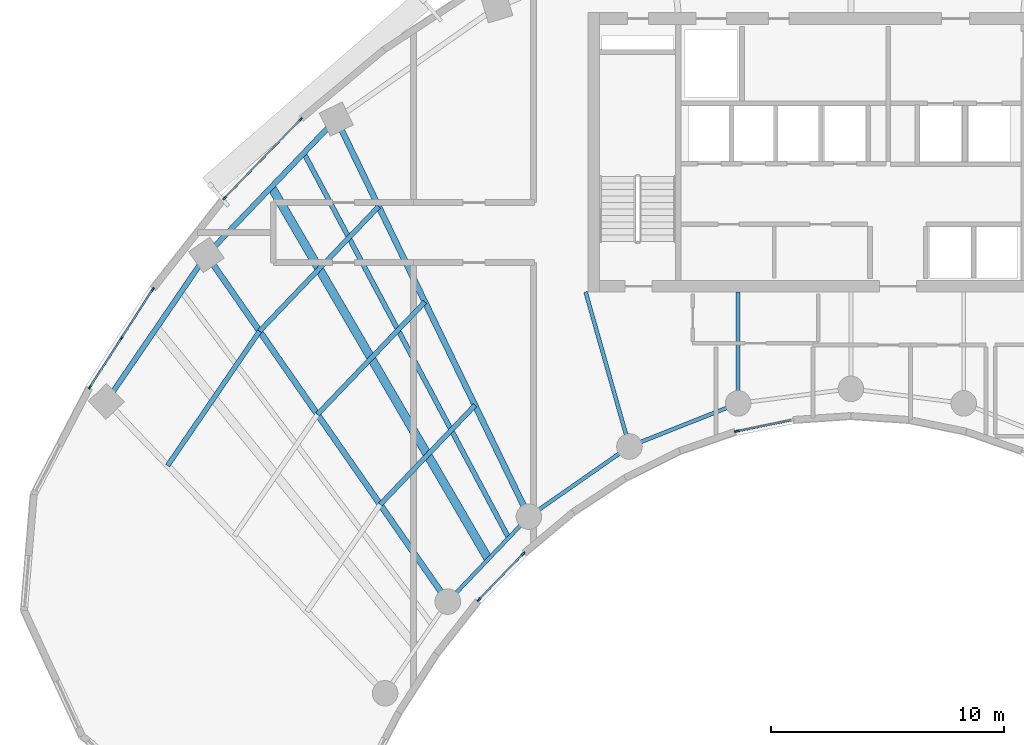
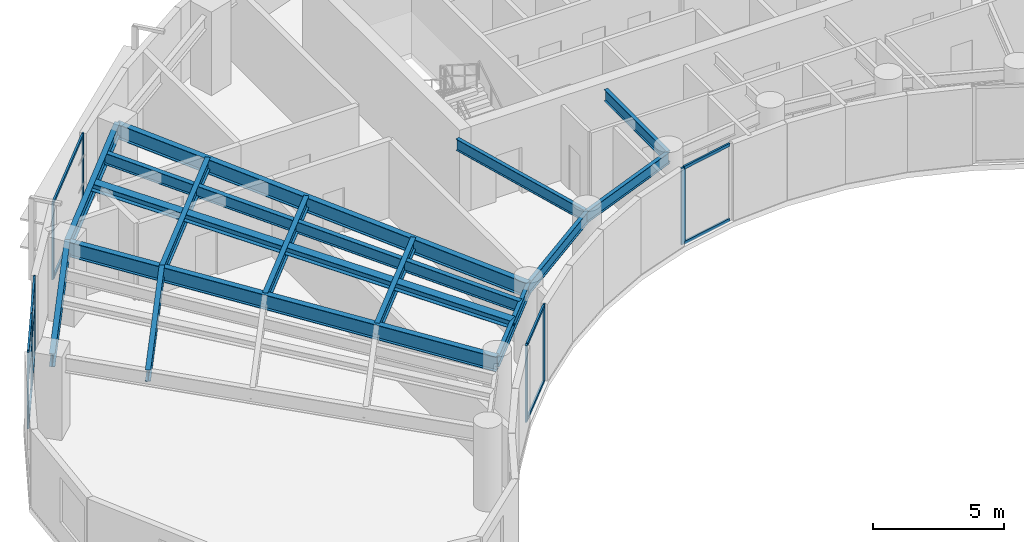
# One storey, part 2 of 13: 20 members, 15 beams, 4 elements without a shape of their own.
"""IFC4 building model written with IfcOpenShell, lengths in metres."""

from ifc_helpers import new_model, si_unit, direction, frame, origin, origin_2d, place, context, subcontext, project, spatial, rectangle, i_section, extrude, source, transform, mapped, material, layer, layer_set, material_profile, profile_set, type_object, type_shapes, element, aggregate, save


model = new_model("IFC4")

# Units and contexts
model_context = context("Model", 3, precision=1e-05, world=origin(), true_north=direction((0.0, 1.0)))
body_context = subcontext(model_context, "Body", "Model", "MODEL_VIEW")
ifc_project = project(units=[si_unit("LENGTHUNIT", "METRE"), si_unit("AREAUNIT", "SQUARE_METRE"), si_unit("VOLUMEUNIT", "CUBIC_METRE"), si_unit("PLANEANGLEUNIT", "RADIAN"), si_unit("MASSUNIT", "GRAM", prefix="KILO")], contexts=[model_context])

# Site, building, storey
site_placement = place(None, origin())
site = spatial("IfcSite", under=ifc_project, at=site_placement, CompositionType="ELEMENT")
building_placement = place(site_placement, origin())
building = spatial("IfcBuilding", under=site, at=building_placement, Name="Breltana Convention Tower", CompositionType="ELEMENT")
storey_placement = place(building_placement, frame((0.0, 0.0, 185.699951171875)))
storey = spatial("IfcBuildingStorey", under=building, at=storey_placement, Name="L45", CompositionType="ELEMENT", Elevation=185.699951171875)

# Beams
ifc_material_1 = material(Name="Steel ASTM A992 Grade 50", Category="steel")
ifc_material_profile_1 = material_profile(ifc_material_1, i_section(OverallWidth=0.2099609375, OverallDepth=0.537109375, WebThickness=0.010986328125, FlangeThickness=0.017333984375, at=origin_2d()), Name="W21X68")
ifc_profile_set_1 = profile_set([ifc_material_profile_1], Name="Steel ASTM A992 Grade 50")
beam_type_1 = type_object("IfcBeamType", Name="BM-JSG-04", PredefinedType="JOIST", material=ifc_profile_set_1)
shared_shape_1 = source(origin(), body_context, "Body", "SweptSolid", [
    extrude(i_section(OverallWidth=0.2099609375, OverallDepth=0.537109375, WebThickness=0.010986328125, FlangeThickness=0.017333984375, at=origin_2d()), origin(), (0.0, 0.0, 1.0), 6.997314453125),
])
beam_1_placement = place(storey_placement, frame((18.641845703125, 52.735595703125, 3.3115234375), z_axis=(0.564468756361, 0.825454434292, 0.0), x_axis=(-0.825454434292, 0.564468756361, 0.0)))
element("IfcBeam", 1, at=beam_1_placement, inside=storey, type_object=beam_type_1, Name="L45 Composite Floor Joist 01.3", PredefinedType="JOIST", context=body_context, shape_type="MappedRepresentation", body=[
    mapped(shared_shape_1, transform((0.0, 0.0, 0.0), scale=1.0)),
])
shared_shape_2 = source(origin(), body_context, "Body", "SweptSolid", [
    extrude(i_section(OverallWidth=0.2099609375, OverallDepth=0.537109375, WebThickness=0.010986328125, FlangeThickness=0.017333984375, at=origin_2d()), origin(), (0.0, 0.0, 1.0), 5.8974609375),
])
beam_2_placement = place(storey_placement, frame((27.774658203125, 51.063232421875, 3.3115234375), z_axis=(0.690713978666, 0.723128065888, 0.0), x_axis=(-0.723128065888, 0.690713978666, 0.0)))
element("IfcBeam", 2, at=beam_2_placement, inside=storey, type_object=beam_type_1, Name="L45 Composite Floor Joist 02.1", PredefinedType="JOIST", context=body_context, shape_type="MappedRepresentation", body=[
    mapped(shared_shape_2, transform((0.0, 0.0, 0.0), scale=1.0)),
])
shared_shape_3 = source(origin(), body_context, "Body", "SweptSolid", [
    extrude(i_section(OverallWidth=0.2099609375, OverallDepth=0.537109375, WebThickness=0.010986328125, FlangeThickness=0.017333984375, at=origin_2d()), origin(), (0.0, 0.0, 1.0), 6.68359375),
])
beam_3_placement = place(storey_placement, frame((25.079345703125, 54.936279296875, 3.3115234375), z_axis=(0.690720705885, 0.723121640156, 0.0), x_axis=(-0.723121640156, 0.690720705885, 0.0)))
element("IfcBeam", 3, at=beam_3_placement, inside=storey, type_object=beam_type_1, Name="L45 Composite Floor Joist 02.2", PredefinedType="JOIST", context=body_context, shape_type="MappedRepresentation", body=[
    mapped(shared_shape_3, transform((0.0, 0.0, 0.0), scale=1.0)),
])
shared_shape_4 = source(origin(), body_context, "Body", "SweptSolid", [
    extrude(i_section(OverallWidth=0.2099609375, OverallDepth=0.537109375, WebThickness=0.010986328125, FlangeThickness=0.017333984375, at=origin_2d()), origin(), (0.0, 0.0, 1.0), 7.40869140625),
])
beam_4_placement = place(storey_placement, frame((22.591552734375, 58.511474609375, 3.3115234375), z_axis=(0.690724936208, 0.723117599358, 0.0), x_axis=(-0.723117599358, 0.690724936208, 0.0)))
element("IfcBeam", 4, at=beam_4_placement, inside=storey, type_object=beam_type_1, Name="L45 Composite Floor Joist 02.3", PredefinedType="JOIST", context=body_context, shape_type="MappedRepresentation", body=[
    mapped(shared_shape_4, transform((0.0, 0.0, 0.0), scale=1.0)),
])
ifc_material_profile_2 = material_profile(ifc_material_1, i_section(OverallWidth=0.368896484375, OverallDepth=0.35595703125, WebThickness=0.01123046875, FlangeThickness=0.01806640625, at=origin_2d()), Name="W14X90")
ifc_profile_set_2 = profile_set([ifc_material_profile_2], Name="Steel ASTM A992 Grade 50")
beam_type_2 = type_object("IfcBeamType", Name="BM-JSG-09", PredefinedType="JOIST", material=ifc_profile_set_2)
shared_shape_5 = source(origin(), body_context, "Body", "SweptSolid", [
    extrude(i_section(OverallWidth=0.368896484375, OverallDepth=0.35595703125, WebThickness=0.01123046875, FlangeThickness=0.01806640625, at=origin_2d()), origin(), (0.0, 0.0, 1.0), 18.50830078125),
])
beam_5_placement = place(storey_placement, frame((32.421630859375, 48.71875, 3.402099609375), z_axis=(-0.50368319637, 0.863888440537, 0.0), x_axis=(-0.863888440537, -0.50368319637, 0.0)))
element("IfcBeam", 5, at=beam_5_placement, inside=storey, type_object=beam_type_2, Name="L45 Mid-Bay Radial Trimmer 02", PredefinedType="JOIST", context=body_context, shape_type="MappedRepresentation", body=[
    mapped(shared_shape_5, transform((0.0, 0.0, 0.0), scale=1.0)),
])
shared_shape_6 = source(origin(), body_context, "Body", "SweptSolid", [
    extrude(i_section(OverallWidth=0.2099609375, OverallDepth=0.537109375, WebThickness=0.010986328125, FlangeThickness=0.017333984375, at=origin_2d()), origin(), (0.0, 0.0, 1.0), 18.731689453125),
])
beam_6_placement = place(storey_placement, frame((33.2939453125, 49.6318359375, 3.3115234375), z_axis=(-0.469820250451, 0.882762104004, 0.0), x_axis=(-0.882762104004, -0.469820250451, 0.0)))
element("IfcBeam", 6, at=beam_6_placement, inside=storey, type_object=beam_type_1, Name="L45 Quarter-Bay Radial Trimmer 02", PredefinedType="JOIST", context=body_context, shape_type="MappedRepresentation", body=[
    mapped(shared_shape_6, transform((0.0, 0.0, 0.0), scale=1.0)),
])
ifc_material_profile_3 = material_profile(ifc_material_1, i_section(OverallWidth=0.25390625, OverallDepth=0.68798828125, WebThickness=0.01318359375, FlangeThickness=0.02099609375, at=origin_2d()), Name="W27X102")
ifc_profile_set_3 = profile_set([ifc_material_profile_3], Name="Steel ASTM A992 Grade 50")
beam_type_3 = type_object("IfcBeamType", Name="BM-RG-W27X102", PredefinedType="USERDEFINED", material=ifc_profile_set_3)
shared_shape_7 = source(origin(), body_context, "Body", "SweptSolid", [
    extrude(i_section(OverallWidth=0.25390625, OverallDepth=0.68798828125, WebThickness=0.01318359375, FlangeThickness=0.02099609375, at=origin_2d()), origin(), (0.0, 0.0, 1.0), 18.1484375),
])
beam_7_placement = place(storey_placement, frame((30.67724609375, 46.892333984375, 3.236083984375), z_axis=(-0.571207556098, 0.820805657788, 0.0), x_axis=(-0.820805657788, -0.571207556098, 0.0)))
element("IfcBeam", 7, at=beam_7_placement, inside=storey, type_object=beam_type_3, Name="L45 Radial Floor Girder R02", ObjectType="GIRDER", PredefinedType="USERDEFINED", context=body_context, shape_type="MappedRepresentation", body=[
    mapped(shared_shape_7, transform((0.0, 0.0, 0.0), scale=1.0)),
])
shared_shape_8 = source(origin(), body_context, "Body", "SweptSolid", [
    extrude(i_section(OverallWidth=0.25390625, OverallDepth=0.68798828125, WebThickness=0.01318359375, FlangeThickness=0.02099609375, at=origin_2d()), origin(), (0.0, 0.0, 1.0), 18.982421875),
])
beam_8_placement = place(storey_placement, frame((34.166259765625, 50.544921875, 3.236083984375), z_axis=(-0.436118560343, 0.89988921614, 0.0), x_axis=(-0.89988921614, -0.436118560343, 0.0)))
element("IfcBeam", 8, at=beam_8_placement, inside=storey, type_object=beam_type_3, Name="L45 Radial Floor Girder R03", ObjectType="GIRDER", PredefinedType="USERDEFINED", context=body_context, shape_type="MappedRepresentation", body=[
    mapped(shared_shape_8, transform((0.0, 0.0, 0.0), scale=1.0)),
])
ifc_material_profile_4 = material_profile(ifc_material_1, i_section(OverallWidth=0.166015625, OverallDepth=0.534912109375, WebThickness=0.01025390625, FlangeThickness=0.0166015625, at=origin_2d()), Name="W21X57")
ifc_profile_set_4 = profile_set([ifc_material_profile_4], Name="Steel ASTM A992 Grade 50")
beam_type_4 = type_object("IfcBeamType", Name="BM-BM-W21X57", PredefinedType="BEAM", material=ifc_profile_set_4)
shared_shape_9 = source(origin(), body_context, "Body", "SweptSolid", [
    extrude(i_section(OverallWidth=0.166015625, OverallDepth=0.534912109375, WebThickness=0.01025390625, FlangeThickness=0.0166015625, at=origin_2d()), origin(), (0.0, 0.0, 1.0), 6.904541015625),
])
type_shapes(beam_type_4, [shared_shape_9])
beam_9_placement = place(storey_placement, frame((36.60009765625, 60.199951171875, 3.3125), z_axis=(0.273006781054, -0.962012108811, 0.0), x_axis=(0.962012108811, 0.273006781054, 0.0)))
element("IfcBeam", 9, at=beam_9_placement, inside=storey, type_object=beam_type_4, Name="L45 South Core Tie Girder R04", PredefinedType="BEAM", context=body_context, shape_type="MappedRepresentation", body=[
    mapped(shared_shape_9, transform((0.0, 0.0, 0.0), scale=1.0)),
])
shared_shape_10 = source(origin(), body_context, "Body", "SweptSolid", [
    extrude(i_section(OverallWidth=0.166015625, OverallDepth=0.534912109375, WebThickness=0.01025390625, FlangeThickness=0.0166015625, at=origin_2d()), origin(), (0.0, 0.0, 1.0), 4.789306640625),
])
beam_10_placement = place(storey_placement, frame((43.153564453125, 60.199951171875, 3.3125), z_axis=(0.0, -1.0, 0.0), x_axis=(1.0, 0.0, 0.0)))
element("IfcBeam", 10, at=beam_10_placement, inside=storey, type_object=beam_type_4, Name="L45 South Core Tie Girder R05", PredefinedType="BEAM", context=body_context, shape_type="MappedRepresentation", body=[
    mapped(shared_shape_10, transform((0.0, 0.0, 0.0), scale=1.0)),
])
ifc_material_profile_5 = material_profile(ifc_material_1, i_section(OverallWidth=0.22802734375, OverallDepth=0.60791015625, WebThickness=0.01123046875, FlangeThickness=0.017333984375, at=origin_2d()), Name="W24X76")
ifc_profile_set_5 = profile_set([ifc_material_profile_5], Name="Steel ASTM A992 Grade 50")
beam_type_5 = type_object("IfcBeamType", Name="BM-SP-W24X76", PredefinedType="SPANDREL", material=ifc_profile_set_5)
shared_shape_11 = source(origin(), body_context, "Body", "SweptSolid", [
    extrude(i_section(OverallWidth=0.22802734375, OverallDepth=0.60791015625, WebThickness=0.01123046875, FlangeThickness=0.017333984375, at=origin_2d()), origin(), (0.0, 0.0, 1.0), 7.625),
])
type_shapes(beam_type_5, [shared_shape_11])
beam_11_placement = place(storey_placement, frame((16.0068359375, 55.494384765625, 3.276123046875), z_axis=(0.564452031902, 0.825465870694, 0.0), x_axis=(-0.825465870694, 0.564452031902, 0.0)))
element("IfcBeam", 11, at=beam_11_placement, inside=storey, type_object=beam_type_5, Name="L45 Outer Spandrel Beam 01", PredefinedType="SPANDREL", context=body_context, shape_type="MappedRepresentation", body=[
    mapped(shared_shape_11, transform((0.0, 0.0, 0.0), scale=1.0)),
])
shared_shape_12 = source(origin(), body_context, "Body", "SweptSolid", [
    extrude(i_section(OverallWidth=0.166015625, OverallDepth=0.534912109375, WebThickness=0.01025390625, FlangeThickness=0.0166015625, at=origin_2d()), origin(), (0.0, 0.0, 1.0), 5.05126953125),
])
beam_12_placement = place(storey_placement, frame((30.67724609375, 46.892333984375, 3.3125), z_axis=(0.690729753845, 0.7231129975, 0.0), x_axis=(-0.7231129975, 0.690729753845, 0.0)))
element("IfcBeam", 12, at=beam_12_placement, inside=storey, type_object=beam_type_4, Name="L45 Inner Ring Beam 02", PredefinedType="BEAM", context=body_context, shape_type="MappedRepresentation", body=[
    mapped(shared_shape_12, transform((0.0, 0.0, 0.0), scale=1.0)),
])
shared_shape_13 = source(origin(), body_context, "Body", "SweptSolid", [
    extrude(i_section(OverallWidth=0.22802734375, OverallDepth=0.60791015625, WebThickness=0.01123046875, FlangeThickness=0.017333984375, at=origin_2d()), origin(), (0.0, 0.0, 1.0), 8.073974609375),
])
beam_13_placement = place(storey_placement, frame((20.310791015625, 61.78857421875, 3.276123046875), z_axis=(0.69072885448, 0.723113856588, 0.0), x_axis=(-0.723113856588, 0.69072885448, 0.0)))
element("IfcBeam", 13, at=beam_13_placement, inside=storey, type_object=beam_type_5, Name="L45 Outer Spandrel Beam 02", PredefinedType="SPANDREL", context=body_context, shape_type="MappedRepresentation", body=[
    mapped(shared_shape_13, transform((0.0, 0.0, 0.0), scale=1.0)),
])
shared_shape_14 = source(origin(), body_context, "Body", "SweptSolid", [
    extrude(i_section(OverallWidth=0.166015625, OverallDepth=0.534912109375, WebThickness=0.01025390625, FlangeThickness=0.0166015625, at=origin_2d()), origin(), (0.0, 0.0, 1.0), 5.265869140625),
])
beam_14_placement = place(storey_placement, frame((34.166259765625, 50.544921875, 3.3125), z_axis=(0.820167429517, 0.572123577176, 0.0), x_axis=(-0.572123577176, 0.820167429517, 0.0)))
element("IfcBeam", 14, at=beam_14_placement, inside=storey, type_object=beam_type_4, Name="L45 Inner Ring Beam 03", PredefinedType="BEAM", context=body_context, shape_type="MappedRepresentation", body=[
    mapped(shared_shape_14, transform((0.0, 0.0, 0.0), scale=1.0)),
])
shared_shape_15 = source(origin(), body_context, "Body", "SweptSolid", [
    extrude(i_section(OverallWidth=0.166015625, OverallDepth=0.534912109375, WebThickness=0.01025390625, FlangeThickness=0.0166015625, at=origin_2d()), origin(), (0.0, 0.0, 1.0), 5.022705078125),
])
beam_15_placement = place(storey_placement, frame((38.485107421875, 53.5576171875, 3.3125), z_axis=(0.929458966248, 0.368925507469, 0.0), x_axis=(-0.368925507469, 0.929458966248, 0.0)))
element("IfcBeam", 15, at=beam_15_placement, inside=storey, type_object=beam_type_4, Name="L45 Inner Ring Beam 04", PredefinedType="BEAM", context=body_context, shape_type="MappedRepresentation", body=[
    mapped(shared_shape_15, transform((0.0, 0.0, 0.0), scale=1.0)),
])

# Curtain wall, members
ifc_material_2 = material(Name="Aluminium Anodised Bronze Frame", Category="aluminium")
ifc_layer_1 = layer(ifc_material_2, 0.2099609375, Name="Aluminium Anodised Bronze Frame")
ifc_layer_set_1 = layer_set([ifc_layer_1], Name="Aluminium Anodised Bronze Frame")
curtain_wall_type_1 = type_object("IfcCurtainWallType", Name="CW-SYS-3", PredefinedType="NOTDEFINED", material=ifc_layer_set_1)
curtain_wall_1_placement = place(storey_placement, origin())
curtain_wall_1 = element("IfcCurtainWall", 16, at=curtain_wall_1_placement, inside=storey, type_object=curtain_wall_type_1, Name="L45 outer double-skin inner glazing 1", PredefinedType="NOTDEFINED")
ifc_material_3 = material(Name="Aluminium Anodised Bronze", Category="aluminium")
ifc_material_profile_6 = material_profile(ifc_material_3, rectangle(XDim=0.080078125, YDim=0.139892578125, at=origin_2d()), Name="CWT-80X140")
ifc_profile_set_6 = profile_set([ifc_material_profile_6], Name="Aluminium Anodised Bronze")
member_type_1 = type_object("IfcMemberType", Name="CWT-140", PredefinedType="USERDEFINED", material=ifc_profile_set_6)
shared_shape_16 = source(origin(), body_context, "Body", "SweptSolid", [
    extrude(rectangle(XDim=0.080078125, YDim=0.139892578125, at=origin_2d()), origin(), (0.0, 0.0, 1.0), 2.427490234375),
])
member_1_placement = place(storey_placement, frame((15.3232421875, 56.134521484375, 0.0400390625), z_axis=(0.540203388332, 0.841534490817, 0.0), x_axis=(-0.841534490817, 0.540203388332, 0.0)))
member_1 = element("IfcMember", 17, at=member_1_placement, type_object=member_type_1, Name="CW-03 transom 1.1", ObjectType="TRANSOM", PredefinedType="USERDEFINED", context=body_context, shape_type="MappedRepresentation", body=[
    mapped(shared_shape_16, transform((0.0, 0.0, 0.0), scale=1.0)),
])
member_2_placement = place(storey_placement, frame((15.3232421875, 56.134521484375, 2.3271484375), z_axis=(0.540203388332, 0.841534490817, 0.0), x_axis=(-0.841534490817, 0.540203388332, 0.0)))
member_2 = element("IfcMember", 18, at=member_2_placement, type_object=member_type_1, Name="CW-03 transom 1.2", ObjectType="TRANSOM", PredefinedType="USERDEFINED", context=body_context, shape_type="MappedRepresentation", body=[
    mapped(shared_shape_16, transform((0.0, 0.0, 0.0), scale=1.0)),
])
member_3_placement = place(storey_placement, frame((15.3232421875, 56.134521484375, 3.5400390625), z_axis=(0.540203388332, 0.841534490817, 0.0), x_axis=(-0.841534490817, 0.540203388332, 0.0)))
member_3 = element("IfcMember", 19, at=member_3_placement, type_object=member_type_1, Name="CW-03 transom 1.3", ObjectType="TRANSOM", PredefinedType="USERDEFINED", context=body_context, shape_type="MappedRepresentation", body=[
    mapped(shared_shape_16, transform((0.0, 0.0, 0.0), scale=1.0)),
])
shared_shape_17 = source(origin(), body_context, "Body", "SweptSolid", [
    extrude(rectangle(XDim=0.080078125, YDim=0.139892578125, at=origin_2d()), origin(), (0.0, 0.0, 1.0), 2.42724609375),
])
member_4_placement = place(storey_placement, frame((16.67236328125, 58.236083984375, 0.0400390625), z_axis=(0.540132155308, 0.841580212934, 0.0), x_axis=(-0.841580212934, 0.540132155308, 0.0)))
member_4 = element("IfcMember", 20, at=member_4_placement, type_object=member_type_1, Name="CW-03 transom 2.1", ObjectType="TRANSOM", PredefinedType="USERDEFINED", context=body_context, shape_type="MappedRepresentation", body=[
    mapped(shared_shape_17, transform((0.0, 0.0, 0.0), scale=1.0)),
])
member_5_placement = place(storey_placement, frame((16.67236328125, 58.236083984375, 2.3271484375), z_axis=(0.540132155308, 0.841580212934, 0.0), x_axis=(-0.841580212934, 0.540132155308, 0.0)))
member_5 = element("IfcMember", 21, at=member_5_placement, type_object=member_type_1, Name="CW-03 transom 2.2", ObjectType="TRANSOM", PredefinedType="USERDEFINED", context=body_context, shape_type="MappedRepresentation", body=[
    mapped(shared_shape_17, transform((0.0, 0.0, 0.0), scale=1.0)),
])
member_6_placement = place(storey_placement, frame((16.67236328125, 58.236083984375, 3.5400390625), z_axis=(0.540132155308, 0.841580212934, 0.0), x_axis=(-0.841580212934, 0.540132155308, 0.0)))
member_6 = element("IfcMember", 22, at=member_6_placement, type_object=member_type_1, Name="CW-03 transom 2.3", ObjectType="TRANSOM", PredefinedType="USERDEFINED", context=body_context, shape_type="MappedRepresentation", body=[
    mapped(shared_shape_17, transform((0.0, 0.0, 0.0), scale=1.0)),
])

curtain_wall_2_placement = place(storey_placement, origin())
curtain_wall_2 = element("IfcCurtainWall", 23, at=curtain_wall_2_placement, inside=storey, type_object=curtain_wall_type_1, Name="L45 outer double-skin inner glazing 2", PredefinedType="NOTDEFINED")
shared_shape_18 = source(origin(), body_context, "Body", "SweptSolid", [
    extrude(rectangle(XDim=0.080078125, YDim=0.139892578125, at=origin_2d()), origin(), (0.0, 0.0, 1.0), 4.635986328125),
])
member_7_placement = place(storey_placement, frame((21.1123046875, 64.256591796875, 0.0400390625), z_axis=(0.694569137919, 0.719425960506, 0.0), x_axis=(-0.719425960506, 0.694569137919, 0.0)))
member_7 = element("IfcMember", 24, at=member_7_placement, type_object=member_type_1, Name="CW-03 transom 1.1", ObjectType="TRANSOM", PredefinedType="USERDEFINED", context=body_context, shape_type="MappedRepresentation", body=[
    mapped(shared_shape_18, transform((0.0, 0.0, 0.0), scale=1.0)),
])
member_8_placement = place(storey_placement, frame((21.1123046875, 64.256591796875, 3.5400390625), z_axis=(0.694569137919, 0.719425960506, 0.0), x_axis=(-0.719425960506, 0.694569137919, 0.0)))
member_8 = element("IfcMember", 25, at=member_8_placement, type_object=member_type_1, Name="CW-03 transom 1.2", ObjectType="TRANSOM", PredefinedType="USERDEFINED", context=body_context, shape_type="MappedRepresentation", body=[
    mapped(shared_shape_18, transform((0.0, 0.0, 0.0), scale=1.0)),
])

ifc_layer_2 = layer(ifc_material_2, 0.18994140625, Name="Aluminium Anodised Bronze Frame")
ifc_layer_set_2 = layer_set([ifc_layer_2], Name="Aluminium Anodised Bronze Frame")
curtain_wall_type_2 = type_object("IfcCurtainWallType", Name="CW-SYS-1", PredefinedType="NOTDEFINED", material=ifc_layer_set_2)
curtain_wall_3_placement = place(storey_placement, origin())
curtain_wall_3 = element("IfcCurtainWall", 26, at=curtain_wall_3_placement, inside=storey, type_object=curtain_wall_type_2, Name="L45 inner south-court glazing 4", PredefinedType="NOTDEFINED")
shared_shape_19 = source(origin(), body_context, "Body", "SweptSolid", [
    extrude(rectangle(XDim=0.080078125, YDim=0.139892578125, at=origin_2d()), origin(), (0.0, 0.0, 1.0), 2.331298828125),
])
member_9_placement = place(storey_placement, frame((45.419677734375, 54.688720703125, 0.0400390625), z_axis=(-0.979618555343, -0.200866836556, 0.0), x_axis=(0.200866836556, -0.979618555343, 0.0)))
member_9 = element("IfcMember", 27, at=member_9_placement, type_object=member_type_1, Name="CW-01 transom 1.1", ObjectType="TRANSOM", PredefinedType="USERDEFINED", context=body_context, shape_type="MappedRepresentation", body=[
    mapped(shared_shape_19, transform((0.0, 0.0, 0.0), scale=1.0)),
])
member_10_placement = place(storey_placement, frame((45.419677734375, 54.688720703125, 3.5400390625), z_axis=(-0.979618555343, -0.200866836556, 0.0), x_axis=(0.200866836556, -0.979618555343, 0.0)))
member_10 = element("IfcMember", 28, at=member_10_placement, type_object=member_type_1, Name="CW-01 transom 1.2", ObjectType="TRANSOM", PredefinedType="USERDEFINED", context=body_context, shape_type="MappedRepresentation", body=[
    mapped(shared_shape_19, transform((0.0, 0.0, 0.0), scale=1.0)),
])

curtain_wall_4_placement = place(storey_placement, origin())
curtain_wall_4 = element("IfcCurtainWall", 29, at=curtain_wall_4_placement, inside=storey, type_object=curtain_wall_type_2, Name="L45 inner south-court glazing 5", PredefinedType="NOTDEFINED")
shared_shape_20 = source(origin(), body_context, "Body", "SweptSolid", [
    extrude(rectangle(XDim=0.080078125, YDim=0.139892578125, at=origin_2d()), origin(), (0.0, 0.0, 1.0), 2.652587890625),
])
member_11_placement = place(storey_placement, frame((33.8896484375, 48.915771484375, 0.0400390625), z_axis=(-0.694619151454, -0.719377671626, 0.0), x_axis=(0.719377671626, -0.694619151454, 0.0)))
member_11 = element("IfcMember", 30, at=member_11_placement, type_object=member_type_1, Name="CW-01 transom 1.1", ObjectType="TRANSOM", PredefinedType="USERDEFINED", context=body_context, shape_type="MappedRepresentation", body=[
    mapped(shared_shape_20, transform((0.0, 0.0, 0.0), scale=1.0)),
])
member_12_placement = place(storey_placement, frame((33.8896484375, 48.915771484375, 3.5400390625), z_axis=(-0.694619151454, -0.719377671626, 0.0), x_axis=(0.719377671626, -0.694619151454, 0.0)))
member_12 = element("IfcMember", 31, at=member_12_placement, type_object=member_type_1, Name="CW-01 transom 1.2", ObjectType="TRANSOM", PredefinedType="USERDEFINED", context=body_context, shape_type="MappedRepresentation", body=[
    mapped(shared_shape_20, transform((0.0, 0.0, 0.0), scale=1.0)),
])

# Member
ifc_material_profile_7 = material_profile(ifc_material_3, rectangle(XDim=0.080078125, YDim=0.199951171875, at=origin_2d()), Name="CWM-80X200")
ifc_profile_set_7 = profile_set([ifc_material_profile_7], Name="Aluminium Anodised Bronze")
member_type_2 = type_object("IfcMemberType", Name="CWM-200", PredefinedType="MULLION", material=ifc_profile_set_7)
shared_shape_21 = source(origin(), body_context, "Body", "SweptSolid", [
    extrude(rectangle(XDim=0.080078125, YDim=0.199951171875, at=origin_2d()), origin(), (0.0, 0.0, 1.0), 3.580078125),
])
member_13_placement = place(storey_placement, frame((43.0966796875, 54.212646484375, 0.0), z_axis=(0.0, 0.0, 1.0), x_axis=(0.200861178299, -0.979619715529, 0.0)))
member_13 = element("IfcMember", 32, at=member_13_placement, type_object=member_type_2, Name="CW-01 mullion 2", PredefinedType="MULLION", context=body_context, shape_type="MappedRepresentation", body=[
    mapped(shared_shape_21, transform((0.0, 0.0, 0.0), scale=1.0)),
])

aggregate(curtain_wall_3, [member_13, member_9, member_10])

member_14_placement = place(storey_placement, frame((33.917236328125, 48.944580078125, 0.0), z_axis=(0.0, 0.0, 1.0), x_axis=(0.719389819694, -0.694606570168, 0.0)))
member_14 = element("IfcMember", 33, at=member_14_placement, type_object=member_type_2, Name="CW-01 mullion 1", PredefinedType="MULLION", context=body_context, shape_type="MappedRepresentation", body=[
    mapped(shared_shape_21, transform((0.0, 0.0, 0.0), scale=1.0)),
])

member_15_placement = place(storey_placement, frame((32.019287109375, 46.978759765625, 0.0), z_axis=(0.0, 0.0, 1.0), x_axis=(0.719389819694, -0.694606570168, 0.0)))
member_15 = element("IfcMember", 34, at=member_15_placement, type_object=member_type_2, Name="CW-01 mullion 2", PredefinedType="MULLION", context=body_context, shape_type="MappedRepresentation", body=[
    mapped(shared_shape_21, transform((0.0, 0.0, 0.0), scale=1.0)),
])

aggregate(curtain_wall_4, [member_14, member_15, member_11, member_12])

ifc_material_profile_8 = material_profile(ifc_material_3, rectangle(XDim=0.070068359375, YDim=0.175048828125, at=origin_2d()), Name="CWM-70X175")
ifc_profile_set_8 = profile_set([ifc_material_profile_8], Name="Aluminium Anodised Bronze")
member_type_3 = type_object("IfcMemberType", Name="CWM-175", PredefinedType="MULLION", material=ifc_profile_set_8)
shared_shape_22 = source(origin(), body_context, "Body", "SweptSolid", [
    extrude(rectangle(XDim=0.070068359375, YDim=0.175048828125, at=origin_2d()), origin(), (0.0, 0.0, 1.0), 3.580078125),
])
member_16_placement = place(storey_placement, frame((15.304443359375, 56.10498046875, 0.0), z_axis=(0.0, 0.0, 1.0), x_axis=(-0.841554203529, 0.54017267843, 0.0)))
member_16 = element("IfcMember", 35, at=member_16_placement, type_object=member_type_3, Name="CW-03 mullion 1", PredefinedType="MULLION", context=body_context, shape_type="MappedRepresentation", body=[
    mapped(shared_shape_22, transform((0.0, 0.0, 0.0), scale=1.0)),
])

member_17_placement = place(storey_placement, frame((16.6533203125, 58.20654296875, 0.0), z_axis=(0.0, 0.0, 1.0), x_axis=(-0.841554203529, 0.54017267843, 0.0)))
member_17 = element("IfcMember", 36, at=member_17_placement, type_object=member_type_3, Name="CW-03 mullion 2", PredefinedType="MULLION", context=body_context, shape_type="MappedRepresentation", body=[
    mapped(shared_shape_22, transform((0.0, 0.0, 0.0), scale=1.0)),
])

member_18_placement = place(storey_placement, frame((18.00244140625, 60.308349609375, 0.0), z_axis=(0.0, 0.0, 1.0), x_axis=(-0.841554203529, 0.54017267843, 0.0)))
member_18 = element("IfcMember", 37, at=member_18_placement, type_object=member_type_3, Name="CW-03 mullion 3", PredefinedType="MULLION", context=body_context, shape_type="MappedRepresentation", body=[
    mapped(shared_shape_22, transform((0.0, 0.0, 0.0), scale=1.0)),
])

aggregate(curtain_wall_1, [member_16, member_17, member_18, member_1, member_2, member_3, member_4, member_5, member_6])

member_19_placement = place(storey_placement, frame((21.087890625, 64.2314453125, 0.0), z_axis=(0.0, 0.0, 1.0), x_axis=(-0.719393523398, 0.694602734297, 0.0)))
member_19 = element("IfcMember", 38, at=member_19_placement, type_object=member_type_3, Name="CW-03 mullion 1", PredefinedType="MULLION", context=body_context, shape_type="MappedRepresentation", body=[
    mapped(shared_shape_22, transform((0.0, 0.0, 0.0), scale=1.0)),
])

member_20_placement = place(storey_placement, frame((24.356689453125, 67.616943359375, 0.0), z_axis=(0.0, 0.0, 1.0), x_axis=(-0.719393523398, 0.694602734297, 0.0)))
member_20 = element("IfcMember", 39, at=member_20_placement, type_object=member_type_3, Name="CW-03 mullion 2", PredefinedType="MULLION", context=body_context, shape_type="MappedRepresentation", body=[
    mapped(shared_shape_22, transform((0.0, 0.0, 0.0), scale=1.0)),
])

aggregate(curtain_wall_2, [member_19, member_20, member_7, member_8])

save(model, "model.ifc")
